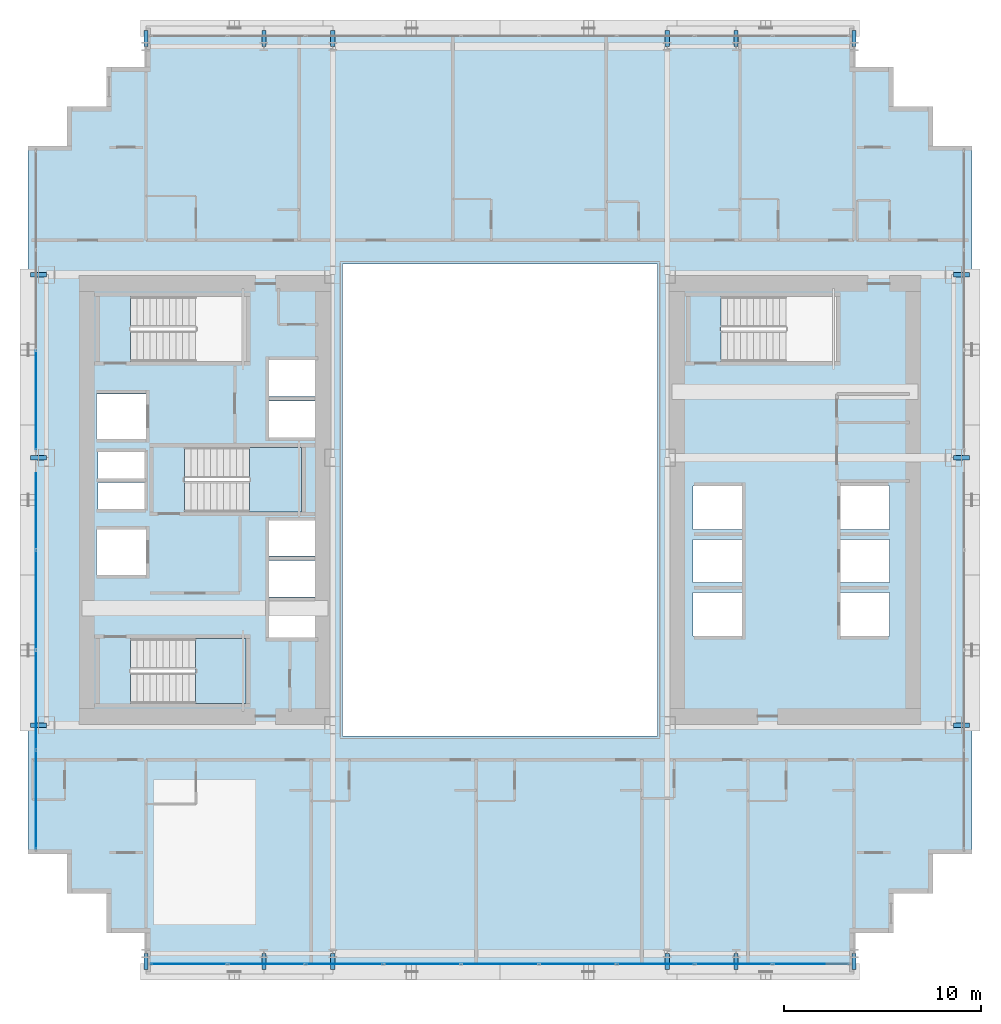
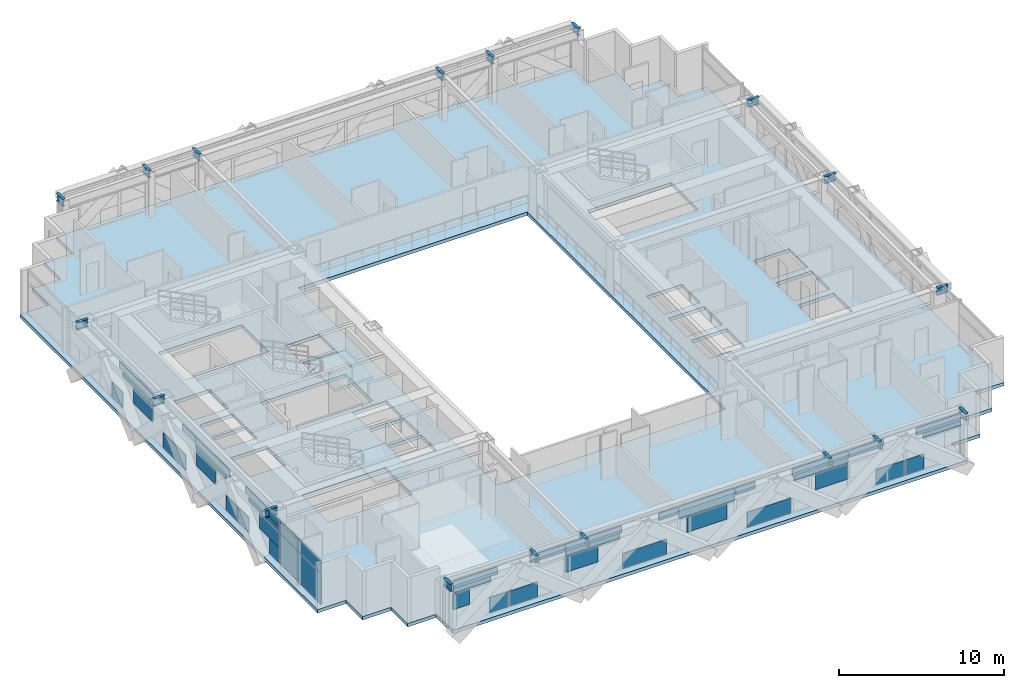
# One storey, part 23 of 35: 40 plates, 18 beams, 3 slabs, 4 elements without a shape of their own.
"""IFC4 building model written with IfcOpenShell, lengths in metres."""

from ifc_helpers import new_model, si_unit, direction, frame, origin, origin_2d, place, context, subcontext, project, spatial, polyline, rectangle, i_section, outline, extrude, source, transform, mapped, material, layer, layer_set, material_profile, profile_set, type_object, element, aggregate, save


model = new_model("IFC4")

# Units and contexts
model_context = context("Model", 3, precision=1e-05, world=origin(), true_north=direction((0.0, 1.0)))
body_context = subcontext(model_context, "Body", "Model", "MODEL_VIEW")
ifc_project = project(units=[si_unit("LENGTHUNIT", "METRE"), si_unit("AREAUNIT", "SQUARE_METRE"), si_unit("VOLUMEUNIT", "CUBIC_METRE"), si_unit("PLANEANGLEUNIT", "RADIAN"), si_unit("MASSUNIT", "GRAM", prefix="KILO")], contexts=[model_context])

# Site, building, storey
site_placement = place(None, origin())
site = spatial("IfcSite", under=ifc_project, at=site_placement, CompositionType="ELEMENT")
building_placement = place(site_placement, origin())
building = spatial("IfcBuilding", under=site, at=building_placement, Name="Ocotamira Hotel", CompositionType="ELEMENT")
storey_placement = place(building_placement, frame((0.0, 0.0, 63.60009765625)))
storey = spatial("IfcBuildingStorey", under=building, at=storey_placement, Name="L15", CompositionType="ELEMENT", Elevation=63.60009765625)

# Beams
ifc_material_1 = material(Name="Steel ASTM A992 Grade 50", Category="steel")
ifc_material_profile = material_profile(ifc_material_1, i_section(OverallWidth=0.2099609375, OverallDepth=0.537109375, WebThickness=0.010986328125, FlangeThickness=0.017333984375, FilletRadius=0.012939453125, at=origin_2d()), Name="W21X68")
ifc_profile_set = profile_set([ifc_material_profile], Name="Steel ASTM A992 Grade 50")
beam_type = type_object("IfcBeamType", Name="BM-SEC-W21X68", PredefinedType="JOIST", material=ifc_profile_set)
shared_shape_1 = source(origin(), body_context, "Body", "SweptSolid", [
    extrude(i_section(OverallWidth=0.2099609375, OverallDepth=0.537109375, WebThickness=0.010986328125, FlangeThickness=0.017333984375, FilletRadius=0.012939453125, at=origin_2d()), origin(), (0.0, 0.0, 1.0), 0.800048828125),
])
for number, where, z_axis, x_axis, name in (
    (1, (14.0, 2.949951171875, 3.081298828125), (0.0, -1.0, 0.0), (1.0, 0.0, 0.0), "L15 South Edge Header X14"),
    (2, (14.0, 49.050048828125, 3.081298828125), (0.0, 1.0, 0.0), (-1.0, 0.0, 0.0), "L15 North Edge Header X14"),
    (3, (20.0, 2.949951171875, 3.081298828125), (0.0, -1.0, 0.0), (1.0, 0.0, 0.0), "L15 South Edge Header X20"),
    (4, (20.0, 49.050048828125, 3.081298828125), (0.0, 1.0, 0.0), (-1.0, 0.0, 0.0), "L15 North Edge Header X20"),
    (5, (23.5, 2.949951171875, 3.081298828125), (0.0, -1.0, 0.0), (1.0, 0.0, 0.0), "L15 South Edge Header X23.5"),
    (6, (23.5, 49.050048828125, 3.081298828125), (0.0, 1.0, 0.0), (-1.0, 0.0, 0.0), "L15 North Edge Header X23.5"),
    (7, (40.5, 2.949951171875, 3.081298828125), (0.0, -1.0, 0.0), (1.0, 0.0, 0.0), "L15 South Edge Header X40.5"),
    (8, (40.5, 49.050048828125, 3.081298828125), (0.0, 1.0, 0.0), (-1.0, 0.0, 0.0), "L15 North Edge Header X40.5"),
    (9, (44.0, 2.949951171875, 3.081298828125), (0.0, -1.0, 0.0), (1.0, 0.0, 0.0), "L15 South Edge Header X44"),
    (10, (44.0, 49.050048828125, 3.081298828125), (0.0, 1.0, 0.0), (-1.0, 0.0, 0.0), "L15 North Edge Header X44"),
    (11, (50.0, 2.949951171875, 3.081298828125), (0.0, -1.0, 0.0), (1.0, 0.0, 0.0), "L15 South Edge Header X50"),
    (12, (50.0, 49.050048828125, 3.081298828125), (0.0, 1.0, 0.0), (-1.0, 0.0, 0.0), "L15 North Edge Header X50"),
    (13, (8.949951171875, 14.550048828125, 3.081298828125), (-1.0, 0.0, 0.0), (0.0, -1.0, 0.0), "L15 West Edge Header Y14.55"),
    (14, (55.050048828125, 14.550048828125, 3.081298828125), (1.0, 0.0, 0.0), (0.0, 1.0, 0.0), "L15 East Edge Header Y14.55"),
    (15, (8.949951171875, 28.14990234375, 3.081298828125), (-1.0, 0.0, 0.0), (0.0, -1.0, 0.0), "L15 West Edge Header Y28.15"),
    (16, (55.050048828125, 28.14990234375, 3.081298828125), (1.0, 0.0, 0.0), (0.0, 1.0, 0.0), "L15 East Edge Header Y28.15"),
    (17, (8.949951171875, 37.449951171875, 3.081298828125), (-1.0, 0.0, 0.0), (0.0, -1.0, 0.0), "L15 West Edge Header Y37.45"),
    (18, (55.050048828125, 37.449951171875, 3.081298828125), (1.0, 0.0, 0.0), (0.0, 1.0, 0.0), "L15 East Edge Header Y37.45"),
):
    element("IfcBeam", number, at=place(storey_placement, frame(where, z_axis=z_axis, x_axis=x_axis)), inside=storey, type_object=beam_type, Name=name, PredefinedType="JOIST", context=body_context, shape_type="MappedRepresentation", body=[
        mapped(shared_shape_1, transform((0.0, 0.0, 0.0), scale=1.0)),
    ])

# Stair, slab
ifc_material_2 = material(Name="Concrete C40/50", Category="concrete")
stair_type = type_object("IfcStairType", Name="ST-CORE-1560", PredefinedType="HALF_TURN_STAIR", material=ifc_material_2)
stair_1_placement = place(storey_placement, origin())
stair_1 = element("IfcStair", 19, at=stair_1_placement, inside=storey, type_object=stair_type, Name="L15 Exit Stair ST-1", PredefinedType="HALF_TURN_STAIR")
ifc_layer_1 = layer(ifc_material_2, 0.199951171875)
ifc_layer_set_1 = layer_set([ifc_layer_1], Name="Concrete C40/50")
slab_type_1 = type_object("IfcSlabType", Name="SLB-LAND-200", PredefinedType="LANDING", material=ifc_layer_set_1)
slab_1_placement = place(storey_placement, frame((0.0, 0.0, 1.599853515625)))
slab_1 = element("IfcSlab", 20, at=slab_1_placement, type_object=slab_type_1, Name="ST-1 landing 1", PredefinedType="LANDING", context=body_context, shape_type="SweptSolid", body=[
    extrude(outline(polyline([(16.530029296875, 15.669921875), (19.090087890625, 15.669921875), (19.090087890625, 18.949951171875), (16.530029296875, 18.949951171875), (16.530029296875, 15.669921875)])), origin(), (0.0, 0.0, 1.0), 0.199951171875),
])
aggregate(stair_1, [slab_1])

stair_2_placement = place(storey_placement, origin())
stair_2 = element("IfcStair", 21, at=stair_2_placement, inside=storey, type_object=stair_type, Name="L15 Exit Stair ST-3", PredefinedType="HALF_TURN_STAIR")
slab_2_placement = place(storey_placement, frame((0.0, 0.0, 1.599853515625)))
slab_2 = element("IfcSlab", 22, at=slab_2_placement, type_object=slab_type_1, Name="ST-3 landing 1", PredefinedType="LANDING", context=body_context, shape_type="SweptSolid", body=[
    extrude(outline(polyline([(19.260009765625, 25.39990234375), (21.919921875, 25.39990234375), (21.919921875, 28.679931640625), (19.260009765625, 28.679931640625), (19.260009765625, 25.39990234375)])), origin(), (0.0, 0.0, 1.0), 0.199951171875),
])
aggregate(stair_2, [slab_2])

# Slab
ifc_layer_2 = layer(ifc_material_2, 0.25)
ifc_layer_set_2 = layer_set([ifc_layer_2], Name="Concrete C40/50")
slab_type_2 = type_object("IfcSlabType", Name="SLB-Z1-250", PredefinedType="FLOOR", material=ifc_layer_set_2)
slab_3_placement = place(storey_placement, frame((0.0, 0.0, -0.25)))
element("IfcSlab", 23, at=slab_3_placement, inside=storey, type_object=slab_type_2, Name="L15 Structural Floor Slab", PredefinedType="FLOOR", context=body_context, shape_type="SweptSolid", body=[
    extrude(outline(polyline([(14.0, 2.0), (50.0, 2.0), (50.0, 4.0), (52.0, 4.0), (52.0, 6.0), (54.0, 6.0), (54.0, 8.0), (56.0, 8.0), (56.0, 44.0), (54.0, 44.0), (54.0, 46.0), (52.0, 46.0), (52.0, 48.0), (50.0, 48.0), (50.0, 50.0), (14.0, 50.0), (14.0, 48.0), (12.0, 48.0), (12.0, 46.0), (10.0, 46.0), (10.0, 44.0), (8.0, 44.0), (8.0, 8.0), (10.0, 8.0), (10.0, 6.0), (12.0, 6.0), (12.0, 4.0), (14.0, 4.0), (14.0, 2.0)]), holes=[polyline([(24.0, 14.0), (40.0, 14.0), (40.0, 38.0), (24.0, 38.0), (24.0, 14.0)]), polyline([(13.22998046875, 15.669921875), (19.090087890625, 15.669921875), (19.090087890625, 18.949951171875), (13.22998046875, 18.949951171875), (13.22998046875, 15.669921875)]), polyline([(13.22998046875, 33.050048828125), (19.090087890625, 33.050048828125), (19.090087890625, 36.330078125), (13.22998046875, 36.330078125), (13.22998046875, 33.050048828125)]), polyline([(15.9599609375, 25.39990234375), (21.919921875, 25.39990234375), (21.919921875, 28.679931640625), (15.9599609375, 28.679931640625), (15.9599609375, 25.39990234375)]), polyline([(43.22998046875, 33.050048828125), (49.090087890625, 33.050048828125), (49.090087890625, 36.330078125), (43.22998046875, 36.330078125), (43.22998046875, 33.050048828125)]), polyline([(49.300048828125, 19.10009765625), (51.800048828125, 19.10009765625), (51.800048828125, 21.300048828125), (49.300048828125, 21.300048828125), (49.300048828125, 19.10009765625)]), polyline([(49.300048828125, 21.800048828125), (51.800048828125, 21.800048828125), (51.800048828125, 24.0), (49.300048828125, 24.0), (49.300048828125, 21.800048828125)]), polyline([(49.300048828125, 24.5), (51.800048828125, 24.5), (51.800048828125, 26.699951171875), (49.300048828125, 26.699951171875), (49.300048828125, 24.5)]), polyline([(41.800048828125, 19.10009765625), (44.300048828125, 19.10009765625), (44.300048828125, 21.300048828125), (41.800048828125, 21.300048828125), (41.800048828125, 19.10009765625)]), polyline([(41.800048828125, 21.800048828125), (44.300048828125, 21.800048828125), (44.300048828125, 24.0), (41.800048828125, 24.0), (41.800048828125, 21.800048828125)]), polyline([(41.800048828125, 24.5), (44.300048828125, 24.5), (44.300048828125, 26.699951171875), (41.800048828125, 26.699951171875), (41.800048828125, 24.5)]), polyline([(20.25, 19.0), (22.659912109375, 19.0), (22.659912109375, 20.85009765625), (20.25, 20.85009765625), (20.25, 19.0)]), polyline([(20.25, 21.080078125), (22.659912109375, 21.080078125), (22.659912109375, 22.929931640625), (20.25, 22.929931640625), (20.25, 21.080078125)]), polyline([(20.25, 23.159912109375), (22.659912109375, 23.159912109375), (22.659912109375, 24.9599609375), (20.25, 24.9599609375), (20.25, 23.159912109375)]), polyline([(20.25, 29.179931640625), (22.659912109375, 29.179931640625), (22.659912109375, 31.030029296875), (20.25, 31.030029296875), (20.25, 29.179931640625)]), polyline([(20.25, 31.260009765625), (22.659912109375, 31.260009765625), (22.659912109375, 33.110107421875), (20.25, 33.110107421875), (20.25, 31.260009765625)]), polyline([(11.5, 22.199951171875), (14.0, 22.199951171875), (14.0, 24.5), (11.5, 24.5), (11.5, 22.199951171875)]), polyline([(11.5, 29.10009765625), (14.0, 29.10009765625), (14.0, 31.39990234375), (11.5, 31.39990234375), (11.5, 29.10009765625)]), polyline([(11.580078125, 25.550048828125), (13.919921875, 25.550048828125), (13.919921875, 26.89990234375), (11.580078125, 26.89990234375), (11.580078125, 25.550048828125)]), polyline([(11.580078125, 27.10009765625), (13.919921875, 27.10009765625), (13.919921875, 28.449951171875), (11.580078125, 28.449951171875), (11.580078125, 27.10009765625)])]), origin(), (0.0, 0.0, 1.0), 0.25),
])

# Curtain wall, plates
ifc_material_3 = material(Name="Anodised pale-metal aluminium and solar glass", Category="aluminium")
ifc_layer_3 = layer(ifc_material_3, 0.179931640625)
ifc_layer_set_3 = layer_set([ifc_layer_3], Name="Anodised pale-metal aluminium and solar glass")
curtain_wall_type = type_object("IfcCurtainWallType", Name="CW-SYS2-Z1", PredefinedType="NOTDEFINED", material=ifc_layer_set_3)
curtain_wall_1_placement = place(storey_placement, origin())
curtain_wall_1 = element("IfcCurtainWall", 24, at=curtain_wall_1_placement, inside=storey, type_object=curtain_wall_type, Name="L15 Curtain Wall CW-2 CW-L15-S1", PredefinedType="NOTDEFINED")
ifc_material_4 = material(Name="Double-silver low-E insulated solar glass", Category="glass")
ifc_layer_4 = layer(ifc_material_4, 0.031982421875)
ifc_layer_set_4 = layer_set([ifc_layer_4], Name="Double-silver low-E insulated solar glass")
plate_type = type_object("IfcPlateType", Name="CWP-VISION-32", PredefinedType="CURTAIN_PANEL", material=ifc_layer_set_4)
shared_shape_2 = source(origin(), body_context, "Body", "SweptSolid", [
    extrude(rectangle(XDim=1.11669921875, YDim=0.031982421875, at=origin_2d()), origin(), (0.0, 0.0, 1.0), 1.11865234375),
])
plate_1_placement = place(storey_placement, frame((14.83837890625, 2.419921875, 1.193603515625), z_axis=(0.0, 0.0, 1.0), x_axis=(1.0, 0.0, 0.0)))
plate_1 = element("IfcPlate", 25, at=plate_1_placement, type_object=plate_type, Name="CW-2 panel 1.1.1", PredefinedType="CURTAIN_PANEL", context=body_context, shape_type="MappedRepresentation", body=[
    mapped(shared_shape_2, transform((0.0, 0.0, 0.0), scale=1.0)),
])
shared_shape_3 = source(origin(), body_context, "Body", "SweptSolid", [
    extrude(rectangle(XDim=2.60888671875, YDim=0.031982421875, at=origin_2d()), origin(), (0.0, 0.0, 1.0), 0.345458984375),
])
plate_2_placement = place(storey_placement, frame((15.58447265625, 2.419921875, 2.38720703125), z_axis=(0.0, 0.0, 1.0), x_axis=(1.0, 0.0, 0.0)))
plate_2 = element("IfcPlate", 26, at=plate_2_placement, type_object=plate_type, Name="CW-2 panel 1.2.1", PredefinedType="CURTAIN_PANEL", context=body_context, shape_type="MappedRepresentation", body=[
    mapped(shared_shape_3, transform((0.0, 0.0, 0.0), scale=1.0)),
])
plate_3_placement = place(storey_placement, frame((48.41552734375, 2.419921875, 2.38720703125), z_axis=(0.0, 0.0, 1.0), x_axis=(1.0, 0.0, 0.0)))
plate_3 = element("IfcPlate", 27, at=plate_3_placement, type_object=plate_type, Name="CW-2 panel 9.2.2", PredefinedType="CURTAIN_PANEL", context=body_context, shape_type="MappedRepresentation", body=[
    mapped(shared_shape_3, transform((0.0, 0.0, 0.0), scale=1.0)),
])
shared_shape_4 = source(origin(), body_context, "Body", "SweptSolid", [
    extrude(rectangle(XDim=3.079833984375, YDim=0.031982421875, at=origin_2d()), origin(), (0.0, 0.0, 1.0), 0.5107421875),
])
plate_4_placement = place(storey_placement, frame((15.820068359375, 2.419921875, 2.76416015625), z_axis=(0.0, 0.0, 1.0), x_axis=(1.0, 0.0, 0.0)))
plate_4 = element("IfcPlate", 28, at=plate_4_placement, type_object=plate_type, Name="CW-2 panel 1.2.2", PredefinedType="CURTAIN_PANEL", context=body_context, shape_type="MappedRepresentation", body=[
    mapped(shared_shape_4, transform((0.0, 0.0, 0.0), scale=1.0)),
])
plate_5_placement = place(storey_placement, frame((48.179931640625, 2.419921875, 2.76416015625), z_axis=(0.0, 0.0, 1.0), x_axis=(1.0, 0.0, 0.0)))
plate_5 = element("IfcPlate", 29, at=plate_5_placement, type_object=plate_type, Name="CW-2 panel 9.2.1", PredefinedType="CURTAIN_PANEL", context=body_context, shape_type="MappedRepresentation", body=[
    mapped(shared_shape_4, transform((0.0, 0.0, 0.0), scale=1.0)),
])
shared_shape_5 = source(origin(), body_context, "Body", "SweptSolid", [
    extrude(rectangle(XDim=2.430908203125, YDim=0.031982421875, at=origin_2d()), origin(), (0.0, 0.0, 1.0), 0.5107421875),
])
plate_6_placement = place(storey_placement, frame((20.855712890625, 2.419921875, 2.76416015625), z_axis=(0.0, 0.0, 1.0), x_axis=(1.0, 0.0, 0.0)))
plate_6 = element("IfcPlate", 30, at=plate_6_placement, type_object=plate_type, Name="CW-2 panel 2.2.1", PredefinedType="CURTAIN_PANEL", context=body_context, shape_type="MappedRepresentation", body=[
    mapped(shared_shape_5, transform((0.0, 0.0, 0.0), scale=1.0)),
])
plate_7_placement = place(storey_placement, frame((43.144287109375, 2.419921875, 2.76416015625), z_axis=(0.0, 0.0, 1.0), x_axis=(1.0, 0.0, 0.0)))
plate_7 = element("IfcPlate", 31, at=plate_7_placement, type_object=plate_type, Name="CW-2 panel 8.2.1", PredefinedType="CURTAIN_PANEL", context=body_context, shape_type="MappedRepresentation", body=[
    mapped(shared_shape_5, transform((0.0, 0.0, 0.0), scale=1.0)),
])
shared_shape_6 = source(origin(), body_context, "Body", "SweptSolid", [
    extrude(rectangle(XDim=2.24560546875, YDim=0.031982421875, at=origin_2d()), origin(), (0.0, 0.0, 1.0), 1.11865234375),
])
plate_8_placement = place(storey_placement, frame((23.27392578125, 2.419921875, 1.193603515625), z_axis=(0.0, 0.0, 1.0), x_axis=(1.0, 0.0, 0.0)))
plate_8 = element("IfcPlate", 32, at=plate_8_placement, type_object=plate_type, Name="CW-2 panel 3.1.1", PredefinedType="CURTAIN_PANEL", context=body_context, shape_type="MappedRepresentation", body=[
    mapped(shared_shape_6, transform((0.0, 0.0, 0.0), scale=1.0)),
])
plate_9_placement = place(storey_placement, frame((40.72607421875, 2.419921875, 1.193603515625), z_axis=(0.0, 0.0, 1.0), x_axis=(1.0, 0.0, 0.0)))
plate_9 = element("IfcPlate", 33, at=plate_9_placement, type_object=plate_type, Name="CW-2 panel 7.1.1", PredefinedType="CURTAIN_PANEL", context=body_context, shape_type="MappedRepresentation", body=[
    mapped(shared_shape_6, transform((0.0, 0.0, 0.0), scale=1.0)),
])
shared_shape_7 = source(origin(), body_context, "Body", "SweptSolid", [
    extrude(rectangle(XDim=3.73779296875, YDim=0.031982421875, at=origin_2d()), origin(), (0.0, 0.0, 1.0), 0.376708984375),
])
plate_10_placement = place(storey_placement, frame((24.02001953125, 2.419921875, 2.38720703125), z_axis=(0.0, 0.0, 1.0), x_axis=(1.0, 0.0, 0.0)))
plate_10 = element("IfcPlate", 34, at=plate_10_placement, type_object=plate_type, Name="CW-2 panel 3.2.1", PredefinedType="CURTAIN_PANEL", context=body_context, shape_type="MappedRepresentation", body=[
    mapped(shared_shape_7, transform((0.0, 0.0, 0.0), scale=1.0)),
])
plate_11_placement = place(storey_placement, frame((39.97998046875, 2.419921875, 2.38720703125), z_axis=(0.0, 0.0, 1.0), x_axis=(1.0, 0.0, 0.0)))
plate_11 = element("IfcPlate", 35, at=plate_11_placement, type_object=plate_type, Name="CW-2 panel 7.2.2", PredefinedType="CURTAIN_PANEL", context=body_context, shape_type="MappedRepresentation", body=[
    mapped(shared_shape_7, transform((0.0, 0.0, 0.0), scale=1.0)),
])
shared_shape_8 = source(origin(), body_context, "Body", "SweptSolid", [
    extrude(rectangle(XDim=3.87548828125, YDim=0.031982421875, at=origin_2d()), origin(), (0.0, 0.0, 1.0), 0.5107421875),
])
plate_12_placement = place(storey_placement, frame((24.0888671875, 2.419921875, 2.76416015625), z_axis=(0.0, 0.0, 1.0), x_axis=(1.0, 0.0, 0.0)))
plate_12 = element("IfcPlate", 36, at=plate_12_placement, type_object=plate_type, Name="CW-2 panel 3.2.2", PredefinedType="CURTAIN_PANEL", context=body_context, shape_type="MappedRepresentation", body=[
    mapped(shared_shape_8, transform((0.0, 0.0, 0.0), scale=1.0)),
])
plate_13_placement = place(storey_placement, frame((39.9111328125, 2.419921875, 2.76416015625), z_axis=(0.0, 0.0, 1.0), x_axis=(1.0, 0.0, 0.0)))
plate_13 = element("IfcPlate", 37, at=plate_13_placement, type_object=plate_type, Name="CW-2 panel 7.2.1", PredefinedType="CURTAIN_PANEL", context=body_context, shape_type="MappedRepresentation", body=[
    mapped(shared_shape_8, transform((0.0, 0.0, 0.0), scale=1.0)),
])
shared_shape_9 = source(origin(), body_context, "Body", "SweptSolid", [
    extrude(rectangle(XDim=1.34228515625, YDim=0.031982421875, at=origin_2d()), origin(), (0.0, 0.0, 1.0), 0.5107421875),
])
plate_14_placement = place(storey_placement, frame((29.31103515625, 2.419921875, 2.76416015625), z_axis=(0.0, 0.0, 1.0), x_axis=(1.0, 0.0, 0.0)))
plate_14 = element("IfcPlate", 38, at=plate_14_placement, type_object=plate_type, Name="CW-2 panel 4.2.1", PredefinedType="CURTAIN_PANEL", context=body_context, shape_type="MappedRepresentation", body=[
    mapped(shared_shape_9, transform((0.0, 0.0, 0.0), scale=1.0)),
])
plate_15_placement = place(storey_placement, frame((34.68896484375, 2.419921875, 2.76416015625), z_axis=(0.0, 0.0, 1.0), x_axis=(1.0, 0.0, 0.0)))
plate_15 = element("IfcPlate", 39, at=plate_15_placement, type_object=plate_type, Name="CW-2 panel 6.2.1", PredefinedType="CURTAIN_PANEL", context=body_context, shape_type="MappedRepresentation", body=[
    mapped(shared_shape_9, transform((0.0, 0.0, 0.0), scale=1.0)),
])
shared_shape_10 = source(origin(), body_context, "Body", "SweptSolid", [
    extrude(rectangle(XDim=2.793701171875, YDim=0.031982421875, at=origin_2d()), origin(), (0.0, 0.0, 1.0), 1.11865234375),
])
plate_16_placement = place(storey_placement, frame((32.0, 2.419921875, 1.193603515625), z_axis=(0.0, 0.0, 1.0), x_axis=(1.0, 0.0, 0.0)))
plate_16 = element("IfcPlate", 40, at=plate_16_placement, type_object=plate_type, Name="CW-2 panel 5.1.1", PredefinedType="CURTAIN_PANEL", context=body_context, shape_type="MappedRepresentation", body=[
    mapped(shared_shape_10, transform((0.0, 0.0, 0.0), scale=1.0)),
])
shared_shape_11 = source(origin(), body_context, "Body", "SweptSolid", [
    extrude(rectangle(XDim=3.87548828125, YDim=0.031982421875, at=origin_2d()), origin(), (0.0, 0.0, 1.0), 0.887451171875),
])
plate_17_placement = place(storey_placement, frame((32.0, 2.419921875, 2.38720703125), z_axis=(0.0, 0.0, 1.0), x_axis=(1.0, 0.0, 0.0)))
plate_17 = element("IfcPlate", 41, at=plate_17_placement, type_object=plate_type, Name="CW-2 panel 5.2", PredefinedType="CURTAIN_PANEL", context=body_context, shape_type="MappedRepresentation", body=[
    mapped(shared_shape_11, transform((0.0, 0.0, 0.0), scale=1.0)),
])

curtain_wall_2_placement = place(storey_placement, origin())
curtain_wall_2 = element("IfcCurtainWall", 42, at=curtain_wall_2_placement, inside=storey, type_object=curtain_wall_type, Name="L15 Curtain Wall CW-2 CW-L15-W", PredefinedType="NOTDEFINED")
shared_shape_12 = source(origin(), body_context, "Body", "SweptSolid", [
    extrude(rectangle(XDim=4.9658203125, YDim=0.031982421875, at=origin_2d()), origin(), (0.0, 0.0, 1.0), 2.237548828125),
])
plate_18_placement = place(storey_placement, frame((8.419921875, 10.762939453125, 0.07470703125), z_axis=(0.0, 0.0, 1.0), x_axis=(0.0, 1.0, 0.0)))
plate_18 = element("IfcPlate", 43, at=plate_18_placement, type_object=plate_type, Name="CW-2 panel 1.1", PredefinedType="CURTAIN_PANEL", context=body_context, shape_type="MappedRepresentation", body=[
    mapped(shared_shape_12, transform((0.0, 0.0, 0.0), scale=1.0)),
])
shared_shape_13 = source(origin(), body_context, "Body", "SweptSolid", [
    extrude(rectangle(XDim=4.9658203125, YDim=0.031982421875, at=origin_2d()), origin(), (0.0, 0.0, 1.0), 0.887451171875),
])
plate_19_placement = place(storey_placement, frame((8.419921875, 10.762939453125, 2.38720703125), z_axis=(0.0, 0.0, 1.0), x_axis=(0.0, 1.0, 0.0)))
plate_19 = element("IfcPlate", 44, at=plate_19_placement, type_object=plate_type, Name="CW-2 panel 1.2", PredefinedType="CURTAIN_PANEL", context=body_context, shape_type="MappedRepresentation", body=[
    mapped(shared_shape_13, transform((0.0, 0.0, 0.0), scale=1.0)),
])
shared_shape_14 = source(origin(), body_context, "Body", "SweptSolid", [
    extrude(rectangle(XDim=2.364013671875, YDim=0.031982421875, at=origin_2d()), origin(), (0.0, 0.0, 1.0), 1.11865234375),
])
plate_20_placement = place(storey_placement, frame((8.419921875, 14.5078125, 1.193603515625), z_axis=(0.0, 0.0, 1.0), x_axis=(0.0, 1.0, 0.0)))
plate_20 = element("IfcPlate", 45, at=plate_20_placement, type_object=plate_type, Name="CW-2 panel 2.1.2", PredefinedType="CURTAIN_PANEL", context=body_context, shape_type="MappedRepresentation", body=[
    mapped(shared_shape_14, transform((0.0, 0.0, 0.0), scale=1.0)),
])
shared_shape_15 = source(origin(), body_context, "Body", "SweptSolid", [
    extrude(rectangle(XDim=3.629638671875, YDim=0.031982421875, at=origin_2d()), origin(), (0.0, 0.0, 1.0), 0.367919921875),
])
plate_21_placement = place(storey_placement, frame((8.419921875, 15.140625, 2.38720703125), z_axis=(0.0, 0.0, 1.0), x_axis=(0.0, 1.0, 0.0)))
plate_21 = element("IfcPlate", 46, at=plate_21_placement, type_object=plate_type, Name="CW-2 panel 2.2.1", PredefinedType="CURTAIN_PANEL", context=body_context, shape_type="MappedRepresentation", body=[
    mapped(shared_shape_15, transform((0.0, 0.0, 0.0), scale=1.0)),
])
shared_shape_16 = source(origin(), body_context, "Body", "SweptSolid", [
    extrude(rectangle(XDim=4.05615234375, YDim=0.031982421875, at=origin_2d()), origin(), (0.0, 0.0, 1.0), 0.485107421875),
])
plate_22_placement = place(storey_placement, frame((8.419921875, 15.353759765625, 2.78955078125), z_axis=(0.0, 0.0, 1.0), x_axis=(0.0, 1.0, 0.0)))
plate_22 = element("IfcPlate", 47, at=plate_22_placement, type_object=plate_type, Name="CW-2 panel 2.2.2", PredefinedType="CURTAIN_PANEL", context=body_context, shape_type="MappedRepresentation", body=[
    mapped(shared_shape_16, transform((0.0, 0.0, 0.0), scale=1.0)),
])
shared_shape_17 = source(origin(), body_context, "Body", "SweptSolid", [
    extrude(rectangle(XDim=2.27978515625, YDim=0.031982421875, at=origin_2d()), origin(), (0.0, 0.0, 1.0), 1.11865234375),
])
plate_23_placement = place(storey_placement, frame((8.419921875, 22.183349609375, 1.193603515625), z_axis=(0.0, 0.0, 1.0), x_axis=(0.0, 1.0, 0.0)))
plate_23 = element("IfcPlate", 48, at=plate_23_placement, type_object=plate_type, Name="CW-2 panel 3.1.2", PredefinedType="CURTAIN_PANEL", context=body_context, shape_type="MappedRepresentation", body=[
    mapped(shared_shape_17, transform((0.0, 0.0, 0.0), scale=1.0)),
])
plate_24_placement = place(storey_placement, frame((8.419921875, 29.816650390625, 1.193603515625), z_axis=(0.0, 0.0, 1.0), x_axis=(0.0, 1.0, 0.0)))
plate_24 = element("IfcPlate", 49, at=plate_24_placement, type_object=plate_type, Name="CW-2 panel 5.1.1", PredefinedType="CURTAIN_PANEL", context=body_context, shape_type="MappedRepresentation", body=[
    mapped(shared_shape_17, transform((0.0, 0.0, 0.0), scale=1.0)),
])
shared_shape_18 = source(origin(), body_context, "Body", "SweptSolid", [
    extrude(rectangle(XDim=4.06591796875, YDim=0.031982421875, at=origin_2d()), origin(), (0.0, 0.0, 1.0), 0.485107421875),
])
plate_25_placement = place(storey_placement, frame((8.419921875, 21.38427734375, 2.78955078125), z_axis=(0.0, 0.0, 1.0), x_axis=(0.0, 1.0, 0.0)))
plate_25 = element("IfcPlate", 50, at=plate_25_placement, type_object=plate_type, Name="CW-2 panel 3.2.1", PredefinedType="CURTAIN_PANEL", context=body_context, shape_type="MappedRepresentation", body=[
    mapped(shared_shape_18, transform((0.0, 0.0, 0.0), scale=1.0)),
])
plate_26_placement = place(storey_placement, frame((8.419921875, 30.61572265625, 2.78955078125), z_axis=(0.0, 0.0, 1.0), x_axis=(0.0, 1.0, 0.0)))
plate_26 = element("IfcPlate", 51, at=plate_26_placement, type_object=plate_type, Name="CW-2 panel 5.2.2", PredefinedType="CURTAIN_PANEL", context=body_context, shape_type="MappedRepresentation", body=[
    mapped(shared_shape_18, transform((0.0, 0.0, 0.0), scale=1.0)),
])
shared_shape_19 = source(origin(), body_context, "Body", "SweptSolid", [
    extrude(rectangle(XDim=3.639404296875, YDim=0.031982421875, at=origin_2d()), origin(), (0.0, 0.0, 1.0), 0.367919921875),
])
plate_27_placement = place(storey_placement, frame((8.419921875, 21.597412109375, 2.38720703125), z_axis=(0.0, 0.0, 1.0), x_axis=(0.0, 1.0, 0.0)))
plate_27 = element("IfcPlate", 52, at=plate_27_placement, type_object=plate_type, Name="CW-2 panel 3.2.2", PredefinedType="CURTAIN_PANEL", context=body_context, shape_type="MappedRepresentation", body=[
    mapped(shared_shape_19, transform((0.0, 0.0, 0.0), scale=1.0)),
])
plate_28_placement = place(storey_placement, frame((8.419921875, 30.402587890625, 2.38720703125), z_axis=(0.0, 0.0, 1.0), x_axis=(0.0, 1.0, 0.0)))
plate_28 = element("IfcPlate", 53, at=plate_28_placement, type_object=plate_type, Name="CW-2 panel 5.2.1", PredefinedType="CURTAIN_PANEL", context=body_context, shape_type="MappedRepresentation", body=[
    mapped(shared_shape_19, transform((0.0, 0.0, 0.0), scale=1.0)),
])
shared_shape_20 = source(origin(), body_context, "Body", "SweptSolid", [
    extrude(rectangle(XDim=1.518310546875, YDim=0.031982421875, at=origin_2d()), origin(), (0.0, 0.0, 1.0), 0.485107421875),
])
plate_29_placement = place(storey_placement, frame((8.419921875, 24.256103515625, 2.78955078125), z_axis=(0.0, 0.0, 1.0), x_axis=(0.0, 1.0, 0.0)))
plate_29 = element("IfcPlate", 54, at=plate_29_placement, type_object=plate_type, Name="CW-2 panel 4.2.1", PredefinedType="CURTAIN_PANEL", context=body_context, shape_type="MappedRepresentation", body=[
    mapped(shared_shape_20, transform((0.0, 0.0, 0.0), scale=1.0)),
])

# Plate
shared_shape_21 = source(origin(), body_context, "Body", "SweptSolid", [
    extrude(rectangle(XDim=1.278076171875, YDim=0.031982421875, at=origin_2d()), origin(), (0.0, 0.0, 1.0), 1.118896484375),
])
plate_30_placement = place(storey_placement, frame((17.4765625, 2.419921875, 0.07470703125), z_axis=(0.0, 0.0, 1.0), x_axis=(1.0, 0.0, 0.0)))
plate_30 = element("IfcPlate", 55, at=plate_30_placement, type_object=plate_type, Name="CW-2 panel 1.1.2", PredefinedType="CURTAIN_PANEL", context=body_context, shape_type="MappedRepresentation", body=[
    mapped(shared_shape_21, transform((0.0, 0.0, 0.0), scale=1.0)),
])

plate_31_placement = place(storey_placement, frame((46.5234375, 2.419921875, 0.07470703125), z_axis=(0.0, 0.0, 1.0), x_axis=(1.0, 0.0, 0.0)))
plate_31 = element("IfcPlate", 56, at=plate_31_placement, type_object=plate_type, Name="CW-2 panel 9.1.1", PredefinedType="CURTAIN_PANEL", context=body_context, shape_type="MappedRepresentation", body=[
    mapped(shared_shape_21, transform((0.0, 0.0, 0.0), scale=1.0)),
])

shared_shape_22 = source(origin(), body_context, "Body", "SweptSolid", [
    extrude(rectangle(XDim=1.966796875, YDim=0.031982421875, at=origin_2d()), origin(), (0.0, 0.0, 1.0), 1.118896484375),
])
plate_32_placement = place(storey_placement, frame((19.178955078125, 2.419921875, 0.07470703125), z_axis=(0.0, 0.0, 1.0), x_axis=(1.0, 0.0, 0.0)))
plate_32 = element("IfcPlate", 57, at=plate_32_placement, type_object=plate_type, Name="CW-2 panel 2.1.1", PredefinedType="CURTAIN_PANEL", context=body_context, shape_type="MappedRepresentation", body=[
    mapped(shared_shape_22, transform((0.0, 0.0, 0.0), scale=1.0)),
])

plate_33_placement = place(storey_placement, frame((44.821044921875, 2.419921875, 0.07470703125), z_axis=(0.0, 0.0, 1.0), x_axis=(1.0, 0.0, 0.0)))
plate_33 = element("IfcPlate", 58, at=plate_33_placement, type_object=plate_type, Name="CW-2 panel 8.1.1", PredefinedType="CURTAIN_PANEL", context=body_context, shape_type="MappedRepresentation", body=[
    mapped(shared_shape_22, transform((0.0, 0.0, 0.0), scale=1.0)),
])

shared_shape_23 = source(origin(), body_context, "Body", "SweptSolid", [
    extrude(rectangle(XDim=3.055908203125, YDim=0.031982421875, at=origin_2d()), origin(), (0.0, 0.0, 1.0), 1.118896484375),
])
plate_34_placement = place(storey_placement, frame((27.634521484375, 2.419921875, 0.07470703125), z_axis=(0.0, 0.0, 1.0), x_axis=(1.0, 0.0, 0.0)))
plate_34 = element("IfcPlate", 59, at=plate_34_placement, type_object=plate_type, Name="CW-2 panel 4.1.1", PredefinedType="CURTAIN_PANEL", context=body_context, shape_type="MappedRepresentation", body=[
    mapped(shared_shape_23, transform((0.0, 0.0, 0.0), scale=1.0)),
])

plate_35_placement = place(storey_placement, frame((36.365478515625, 2.419921875, 0.07470703125), z_axis=(0.0, 0.0, 1.0), x_axis=(1.0, 0.0, 0.0)))
plate_35 = element("IfcPlate", 60, at=plate_35_placement, type_object=plate_type, Name="CW-2 panel 6.1.1", PredefinedType="CURTAIN_PANEL", context=body_context, shape_type="MappedRepresentation", body=[
    mapped(shared_shape_23, transform((0.0, 0.0, 0.0), scale=1.0)),
])

aggregate(curtain_wall_1, [plate_1, plate_30, plate_2, plate_4, plate_32, plate_6, plate_8, plate_10, plate_12, plate_34, plate_14, plate_16, plate_17, plate_35, plate_15, plate_9, plate_13, plate_11, plate_33, plate_7, plate_31, plate_5, plate_3])

shared_shape_24 = source(origin(), body_context, "Body", "SweptSolid", [
    extrude(rectangle(XDim=1.177978515625, YDim=0.031982421875, at=origin_2d()), origin(), (0.0, 0.0, 1.0), 1.118896484375),
])
plate_36_placement = place(storey_placement, frame((8.419921875, 13.914794921875, 0.07470703125), z_axis=(0.0, 0.0, 1.0), x_axis=(0.0, 1.0, 0.0)))
plate_36 = element("IfcPlate", 61, at=plate_36_placement, type_object=plate_type, Name="CW-2 panel 2.1.1", PredefinedType="CURTAIN_PANEL", context=body_context, shape_type="MappedRepresentation", body=[
    mapped(shared_shape_24, transform((0.0, 0.0, 0.0), scale=1.0)),
])

shared_shape_25 = source(origin(), body_context, "Body", "SweptSolid", [
    extrude(rectangle(XDim=1.330078125, YDim=0.031982421875, at=origin_2d()), origin(), (0.0, 0.0, 1.0), 1.118896484375),
])
plate_37_placement = place(storey_placement, frame((8.419921875, 17.66650390625, 0.07470703125), z_axis=(0.0, 0.0, 1.0), x_axis=(0.0, 1.0, 0.0)))
plate_37 = element("IfcPlate", 62, at=plate_37_placement, type_object=plate_type, Name="CW-2 panel 2.1.3", PredefinedType="CURTAIN_PANEL", context=body_context, shape_type="MappedRepresentation", body=[
    mapped(shared_shape_25, transform((0.0, 0.0, 0.0), scale=1.0)),
])

shared_shape_26 = source(origin(), body_context, "Body", "SweptSolid", [
    extrude(rectangle(XDim=1.3203125, YDim=0.031982421875, at=origin_2d()), origin(), (0.0, 0.0, 1.0), 1.118896484375),
])
plate_38_placement = place(storey_placement, frame((8.419921875, 19.071533203125, 0.07470703125), z_axis=(0.0, 0.0, 1.0), x_axis=(0.0, 1.0, 0.0)))
plate_38 = element("IfcPlate", 63, at=plate_38_placement, type_object=plate_type, Name="CW-2 panel 3.1.1", PredefinedType="CURTAIN_PANEL", context=body_context, shape_type="MappedRepresentation", body=[
    mapped(shared_shape_26, transform((0.0, 0.0, 0.0), scale=1.0)),
])

plate_39_placement = place(storey_placement, frame((8.419921875, 32.928466796875, 0.07470703125), z_axis=(0.0, 0.0, 1.0), x_axis=(0.0, 1.0, 0.0)))
plate_39 = element("IfcPlate", 64, at=plate_39_placement, type_object=plate_type, Name="CW-2 panel 5.1.2", PredefinedType="CURTAIN_PANEL", context=body_context, shape_type="MappedRepresentation", body=[
    mapped(shared_shape_26, transform((0.0, 0.0, 0.0), scale=1.0)),
])

shared_shape_27 = source(origin(), body_context, "Body", "SweptSolid", [
    extrude(rectangle(XDim=2.730224609375, YDim=0.031982421875, at=origin_2d()), origin(), (0.0, 0.0, 1.0), 1.118896484375),
])
plate_40_placement = place(storey_placement, frame((8.419921875, 26.0, 0.07470703125), z_axis=(0.0, 0.0, 1.0), x_axis=(0.0, 1.0, 0.0)))
plate_40 = element("IfcPlate", 65, at=plate_40_placement, type_object=plate_type, Name="CW-2 panel 4.1.1", PredefinedType="CURTAIN_PANEL", context=body_context, shape_type="MappedRepresentation", body=[
    mapped(shared_shape_27, transform((0.0, 0.0, 0.0), scale=1.0)),
])

aggregate(curtain_wall_2, [plate_18, plate_19, plate_36, plate_20, plate_37, plate_21, plate_22, plate_38, plate_23, plate_25, plate_27, plate_40, plate_29, plate_24, plate_39, plate_28, plate_26])

save(model, "model.ifc")
